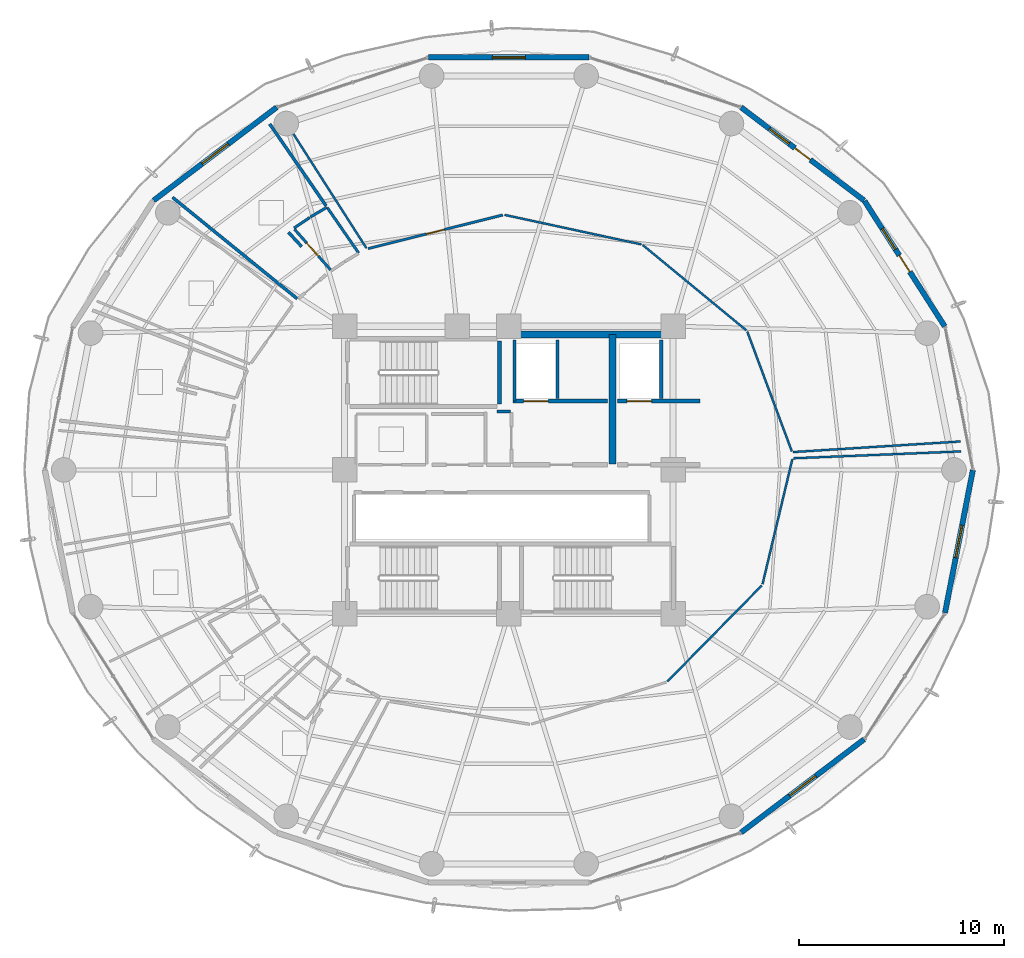
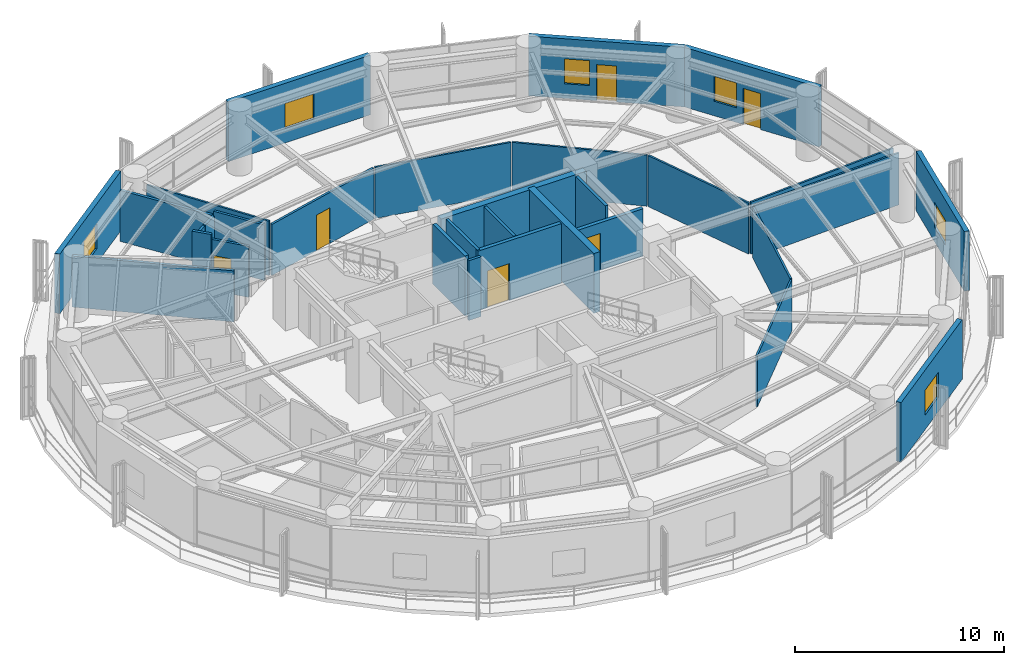
# One storey, part 23 of 28: 31 walls, 6 doors, 6 windows, 12 openings.
"""IFC4 building model written with IfcOpenShell, lengths in metres."""

from ifc_helpers import new_model, si_unit, direction, frame, frame_2d, origin, place, context, subcontext, project, spatial, rectangle, extrude, material, layer, layer_set, type_object, element, fill, save


model = new_model("IFC4")

# Units and contexts
model_context = context("Model", 3, precision=1e-05, world=origin(), true_north=direction((0.0, 1.0)))
body_context = subcontext(model_context, "Body", "Model", "MODEL_VIEW")
ifc_project = project(units=[si_unit("LENGTHUNIT", "METRE"), si_unit("AREAUNIT", "SQUARE_METRE"), si_unit("VOLUMEUNIT", "CUBIC_METRE"), si_unit("PLANEANGLEUNIT", "RADIAN"), si_unit("MASSUNIT", "GRAM", prefix="KILO")], contexts=[model_context])

# Site, building, storey
site_placement = place(None, origin())
site = spatial("IfcSite", under=ifc_project, at=site_placement, CompositionType="ELEMENT")
building_placement = place(site_placement, origin())
building = spatial("IfcBuilding", under=site, at=building_placement, Name="Kelanora Arch Commons", CompositionType="ELEMENT")
storey_placement = place(building_placement, frame((0.0, 0.0, 161.85009765625)))
storey = spatial("IfcBuildingStorey", under=building, at=storey_placement, Name="L41", CompositionType="ELEMENT", Elevation=161.85009765625)

# Walls
ifc_material_1 = material(Name="Autoclaved aerated concrete blockwork with fire plaster", Category="masonry")
ifc_layer_1 = layer(ifc_material_1, 0.14990234375)
ifc_layer_set_1 = layer_set([ifc_layer_1], Name="Autoclaved aerated concrete blockwork with fire plaster")
wall_type_1 = type_object("IfcWallType", Name="W-COMP-150", PredefinedType="PARTITIONING", material=ifc_layer_set_1)
wall_1_placement = place(storey_placement, frame((74.280029296875, 61.35009765625, 0.0), z_axis=(0.0, 0.0, 1.0), x_axis=(0.0, 1.0, 0.0)))
element("IfcWall", 1, at=wall_1_placement, inside=storey, type_object=wall_type_1, Name="Firefighting Lift 1 West Shaft Wall L41", PredefinedType="PARTITIONING", context=body_context, shape_type="SweptSolid", body=[
    extrude(rectangle(XDim=2.969970703125, YDim=0.14990234375, at=frame_2d((1.48486328125, 0.0))), origin(), (0.0, 0.0, 1.0), 3.47998046875),
])
for number, where, z_axis, x_axis, name in (
    (2, (76.360107421875, 61.47998046875, 0.0), (0.0, 0.0, 1.0), (0.0, 1.0, 0.0), "Firefighting Lift 1 East Shaft Wall L41"),
    (3, (81.419921875, 61.47998046875, 0.0), (0.0, 0.0, 1.0), (0.0, 1.0, 0.0), "Firefighting Lift 2 East Shaft Wall L41"),
):
    element("IfcWall", number, at=place(storey_placement, frame(where, z_axis=z_axis, x_axis=x_axis)), inside=storey, type_object=wall_type_1, Name=name, PredefinedType="PARTITIONING", context=body_context, shape_type="SweptSolid", body=[
        extrude(rectangle(XDim=2.840087890625, YDim=0.14990234375, at=frame_2d((1.419921875, 0.0))), origin(), (0.0, 0.0, 1.0), 3.47998046875),
    ])
wall_2_placement = place(storey_placement, frame((74.080078125, 60.85009765625, 0.0), z_axis=(0.0, 0.0, 1.0), x_axis=(-1.0, 0.0, 0.0)))
element("IfcWall", 4, at=wall_2_placement, inside=storey, type_object=wall_type_1, Name="Core Linen Supply Store L41 Enclosure Partition 3", PredefinedType="PARTITIONING", context=body_context, shape_type="SweptSolid", body=[
    extrude(rectangle(XDim=0.66015625, YDim=0.14990234375, at=frame_2d((0.330078125, 0.0))), origin(), (0.0, 0.0, 1.0), 3.47998046875),
])
wall_3_placement = place(storey_placement, frame((63.68896484375, 66.340087890625, 0.0), z_axis=(0.0, 0.0, 1.0), x_axis=(-0.77600992695, 0.630720693553, 0.0)))
element("IfcWall", 5, at=wall_3_placement, inside=storey, type_object=wall_type_1, Name="Cluster Bedroom L41-01 Enclosure Partition 2", PredefinedType="PARTITIONING", context=body_context, shape_type="SweptSolid", body=[
    extrude(rectangle(XDim=7.822265625, YDim=0.14990234375, at=frame_2d((3.9111328125, 0.0))), origin(), (0.0, 0.0, 1.0), 2.974853515625),
])
wall_4_placement = place(storey_placement, frame((62.354736328125, 74.84521484375, 0.0), z_axis=(0.0, 0.0, 1.0), x_axis=(0.56747106095, -0.823393341596, 0.0)))
element("IfcWall", 6, at=wall_4_placement, inside=storey, type_object=wall_type_1, Name="Cluster Bedroom L41-01 Enclosure Partition 5", PredefinedType="PARTITIONING", context=body_context, shape_type="SweptSolid", body=[
    extrude(rectangle(XDim=4.836669921875, YDim=0.14990234375, at=frame_2d((2.41845703125, 0.0))), origin(), (0.0, 0.0, 1.0), 2.974853515625),
])
wall_5_placement = place(storey_placement, frame((63.26416015625, 69.573486328125, 0.0), z_axis=(0.0, 0.0, 1.0), x_axis=(0.678771543933, -0.734349502041, 0.0)))
element("IfcWall", 7, at=wall_5_placement, inside=storey, type_object=wall_type_1, Name="Cluster Bedroom L41-01 Enclosure Partition 7", PredefinedType="PARTITIONING", context=body_context, shape_type="SweptSolid", body=[
    extrude(rectangle(XDim=0.94873046875, YDim=0.14990234375, at=frame_2d((0.474365234375, 0.0))), origin(), (0.0, 0.0, 1.0), 3.47998046875),
])
ifc_material_2 = material(Name="Concrete C50/60", Category="concrete")
ifc_layer_2 = layer(ifc_material_2, 0.35009765625)
ifc_layer_set_2 = layer_set([ifc_layer_2], Name="Concrete C50/60")
wall_type_2 = type_object("IfcWallType", Name="W-CORE-350", PredefinedType="SHEAR", material=ifc_layer_set_2)
wall_6_placement = place(storey_placement, frame((74.0, 64.60009765625, 0.0), z_axis=(0.0, 0.0, 1.0), x_axis=(1.0, 0.0, 0.0)))
element("IfcWall", 8, at=wall_6_placement, inside=storey, type_object=wall_type_2, Name="Core Shear Spine L41-CN-E", PredefinedType="SHEAR", context=body_context, shape_type="SweptSolid", body=[
    extrude(rectangle(XDim=8.0, YDim=0.35009765625, at=frame_2d((4.0, 0.0))), origin(), (0.0, 0.0, 1.0), 3.489990234375),
])
wall_7_placement = place(storey_placement, frame((79.050048828125, 58.300048828125, 0.0), z_axis=(0.0, 0.0, 1.0), x_axis=(0.0, 1.0, 0.0)))
element("IfcWall", 9, at=wall_7_placement, inside=storey, type_object=wall_type_2, Name="Core Shear Spine L41-CE-N", PredefinedType="SHEAR", context=body_context, shape_type="SweptSolid", body=[
    extrude(rectangle(XDim=6.300048828125, YDim=0.35009765625, at=frame_2d((3.14990234375, 0.0))), origin(), (0.0, 0.0, 1.0), 3.489990234375),
])

# Wall, openings, door, window
ifc_material_3 = material(Name="Precast concrete C40/50 with terracotta rainscreen", Category="masonry")
ifc_layer_3 = layer(ifc_material_3, 0.260009765625)
ifc_layer_set_3 = layer_set([ifc_layer_3], Name="Precast concrete C40/50 with terracotta rainscreen")
wall_type_3 = type_object("IfcWallType", Name="W-EXT-TC", PredefinedType="SOLIDWALL", material=ifc_layer_set_3)
wall_8_placement = place(storey_placement, frame((95.22900390625, 64.98974609375, 0.0), z_axis=(0.0, 0.0, 1.0), x_axis=(-0.538801521808, 0.842432739213, 0.0)))
wall_8 = element("IfcWall", 10, at=wall_8_placement, inside=storey, type_object=wall_type_3, Name="Terracotta Exterior Wall L41-B01", PredefinedType="SOLIDWALL", context=body_context, shape_type="SweptSolid", body=[
    extrude(rectangle(XDim=7.25341796875, YDim=0.260009765625, at=frame_2d((3.626708984375, 0.0))), origin(), (0.0, 0.0, 1.0), 3.474853515625),
])
opening_1_placement = place(wall_8_placement, frame((3.152099609375, 0.0, 0.0)))
opening_1 = element("IfcOpeningElement", 11, at=opening_1_placement, cuts=wall_8, Name="Opening DB-01", PredefinedType="OPENING", context=body_context, shape_type="SweptSolid", body=[
    extrude(rectangle(XDim=0.949951171875, YDim=2.10009765625, at=frame_2d((0.47509765625, 1.050048828125))), frame((0.0, 0.14013671875, 0.0), z_axis=(0.0, -1.0, 0.0), x_axis=(1.0, 0.0, 0.0)), (0.0, 0.0, 1.0), 0.280029296875),
])
opening_2_placement = place(wall_8_placement, frame((4.451904296875, 0.0, 0.85009765625)))
opening_2 = element("IfcOpeningElement", 12, at=opening_2_placement, cuts=wall_8, Name="Opening WN-02", PredefinedType="OPENING", context=body_context, shape_type="SweptSolid", body=[
    extrude(rectangle(XDim=1.199951171875, YDim=1.449951171875, at=frame_2d((0.60009765625, 0.72509765625))), frame((0.0, 0.14013671875, 0.0), z_axis=(0.0, -1.0, 0.0), x_axis=(1.0, 0.0, 0.0)), (0.0, 0.0, 1.0), 0.280029296875),
])
ifc_material_4 = material(Name="Terracotta-aluminium thermally broken glazed balcony door", Category="masonry")
door_type_1 = type_object("IfcDoorType", Name="D-BAL-10", OperationType="NOTDEFINED", PredefinedType="DOOR", material=ifc_material_4)
door_1_placement = place(opening_1_placement, frame((0.949951171875, 0.0, 0.0), z_axis=(0.0, 0.0, 1.0), x_axis=(-1.0, 0.0, 0.0)))
door_1 = element("IfcDoor", 13, at=door_1_placement, inside=storey, type_object=door_type_1, Name="Wave Balcony Door L41-B01", OperationType="SINGLE_SWING_LEFT", OverallHeight=2.10009765625, OverallWidth=0.949951171875, PredefinedType="DOOR", context=body_context, shape_type="SweptSolid", body=[
    extrude(rectangle(XDim=0.949951171875, YDim=2.10009765625, at=frame_2d((0.47509765625, 1.050048828125))), frame((0.0, 0.02490234375, 0.0), z_axis=(0.0, -1.0, 0.0), x_axis=(1.0, 0.0, 0.0)), (0.0, 0.0, 1.0), 0.050048828125),
])
fill(opening_1, door_1)
ifc_material_5 = material(Name="Terracotta-anodised aluminium frame with operable awning sash", Category="masonry")
window_type_1 = type_object("IfcWindowType", Name="WIN-CL-12", PartitioningType="SINGLE_PANEL", PredefinedType="WINDOW", material=ifc_material_5)
window_1_placement = place(opening_2_placement, origin())
window_1 = element("IfcWindow", 14, at=window_1_placement, inside=storey, type_object=window_type_1, Name="Co-Living Operable Window L41-B01", OverallHeight=1.449951171875, OverallWidth=1.199951171875, PartitioningType="SINGLE_PANEL", PredefinedType="WINDOW", context=body_context, shape_type="SweptSolid", body=[
    extrude(rectangle(XDim=1.199951171875, YDim=1.449951171875, at=frame_2d((0.60009765625, 0.72509765625))), frame((0.0, 0.030029296875, 0.0), z_axis=(0.0, -1.0, 0.0), x_axis=(1.0, 0.0, 0.0)), (0.0, 0.0, 1.0), 0.06005859375),
])
fill(opening_2, window_1)

wall_9_placement = place(storey_placement, frame((91.300537109375, 71.1220703125, 0.0), z_axis=(0.0, 0.0, 1.0), x_axis=(-0.797163719609, 0.603763202042, 0.0)))
wall_9 = element("IfcWall", 15, at=wall_9_placement, inside=storey, type_object=wall_type_3, Name="Terracotta Exterior Wall L41-B02", PredefinedType="SOLIDWALL", context=body_context, shape_type="SweptSolid", body=[
    extrude(rectangle(XDim=7.51220703125, YDim=0.260009765625, at=frame_2d((3.756103515625, 0.0))), origin(), (0.0, 0.0, 1.0), 3.474853515625),
])
opening_3_placement = place(wall_9_placement, frame((3.281005859375, 0.0, 0.0)))
opening_3 = element("IfcOpeningElement", 16, at=opening_3_placement, cuts=wall_9, Name="Opening DB-01", PredefinedType="OPENING", context=body_context, shape_type="SweptSolid", body=[
    extrude(rectangle(XDim=0.949951171875, YDim=2.10009765625, at=frame_2d((0.47509765625, 1.050048828125))), frame((0.0, 0.14013671875, 0.0), z_axis=(0.0, -1.0, 0.0), x_axis=(1.0, 0.0, 0.0)), (0.0, 0.0, 1.0), 0.280029296875),
])
opening_4_placement = place(wall_9_placement, frame((4.5810546875, 0.0, 0.85009765625)))
opening_4 = element("IfcOpeningElement", 17, at=opening_4_placement, cuts=wall_9, Name="Opening WN-02", PredefinedType="OPENING", context=body_context, shape_type="SweptSolid", body=[
    extrude(rectangle(XDim=1.199951171875, YDim=1.449951171875, at=frame_2d((0.60009765625, 0.72509765625))), frame((0.0, 0.14013671875, 0.0), z_axis=(0.0, -1.0, 0.0), x_axis=(1.0, 0.0, 0.0)), (0.0, 0.0, 1.0), 0.280029296875),
])
door_2_placement = place(opening_3_placement, frame((0.949951171875, 0.0, 0.0), z_axis=(0.0, 0.0, 1.0), x_axis=(-1.0, 0.0, 0.0)))
door_2 = element("IfcDoor", 18, at=door_2_placement, inside=storey, type_object=door_type_1, Name="Wave Balcony Door L41-B02", OperationType="SINGLE_SWING_RIGHT", OverallHeight=2.10009765625, OverallWidth=0.949951171875, PredefinedType="DOOR", context=body_context, shape_type="SweptSolid", body=[
    extrude(rectangle(XDim=0.949951171875, YDim=2.10009765625, at=frame_2d((0.47509765625, 1.050048828125))), frame((0.0, 0.02490234375, 0.0), z_axis=(0.0, -1.0, 0.0), x_axis=(1.0, 0.0, 0.0)), (0.0, 0.0, 1.0), 0.050048828125),
])
fill(opening_3, door_2)
window_2_placement = place(opening_4_placement, origin())
window_2 = element("IfcWindow", 19, at=window_2_placement, inside=storey, type_object=window_type_1, Name="Co-Living Operable Window L41-B02", OverallHeight=1.449951171875, OverallWidth=1.199951171875, PartitioningType="SINGLE_PANEL", PredefinedType="WINDOW", context=body_context, shape_type="SweptSolid", body=[
    extrude(rectangle(XDim=1.199951171875, YDim=1.449951171875, at=frame_2d((0.60009765625, 0.72509765625))), frame((0.0, 0.030029296875, 0.0), z_axis=(0.0, -1.0, 0.0), x_axis=(1.0, 0.0, 0.0)), (0.0, 0.0, 1.0), 0.06005859375),
])
fill(opening_4, window_2)

# Wall, opening, window
wall_10_placement = place(storey_placement, frame((77.909423828125, 78.090087890625, 0.0), z_axis=(0.0, 0.0, 1.0), x_axis=(-1.0, 0.0, 0.0)))
wall_10 = element("IfcWall", 20, at=wall_10_placement, inside=storey, type_object=wall_type_3, Name="Terracotta Exterior Wall L41-B04", PredefinedType="SOLIDWALL", context=body_context, shape_type="SweptSolid", body=[
    extrude(rectangle(XDim=7.81884765625, YDim=0.260009765625, at=frame_2d((3.909423828125, 0.0))), origin(), (0.0, 0.0, 1.0), 3.474853515625),
])
opening_5_placement = place(wall_10_placement, frame((3.10888671875, 0.0, 0.85009765625)))
opening_5 = element("IfcOpeningElement", 21, at=opening_5_placement, cuts=wall_10, Name="Opening WN-01", PredefinedType="OPENING", context=body_context, shape_type="SweptSolid", body=[
    extrude(rectangle(XDim=1.60009765625, YDim=1.449951171875, at=frame_2d((0.800048828125, 0.72509765625))), frame((0.0, 0.14013671875, 0.0), z_axis=(0.0, -1.0, 0.0), x_axis=(1.0, 0.0, 0.0)), (0.0, 0.0, 1.0), 0.280029296875),
])
ifc_material_6 = material(Name="Terracotta-anodised aluminium frame with operable low-E glazing", Category="masonry")
window_type_2 = type_object("IfcWindowType", Name="WIN-CL-18", PartitioningType="DOUBLE_PANEL_VERTICAL", PredefinedType="WINDOW", material=ifc_material_6)
window_3_placement = place(opening_5_placement, origin())
window_3 = element("IfcWindow", 22, at=window_3_placement, inside=storey, type_object=window_type_2, Name="Co-Living Operable Window L41-B04", OverallHeight=1.449951171875, OverallWidth=1.60009765625, PartitioningType="SINGLE_PANEL", PredefinedType="WINDOW", context=body_context, shape_type="SweptSolid", body=[
    extrude(rectangle(XDim=1.60009765625, YDim=1.449951171875, at=frame_2d((0.800048828125, 0.72509765625))), frame((0.0, 0.030029296875, 0.0), z_axis=(0.0, -1.0, 0.0), x_axis=(1.0, 0.0, 0.0)), (0.0, 0.0, 1.0), 0.06005859375),
])
fill(opening_5, window_3)

wall_11_placement = place(storey_placement, frame((62.68798828125, 75.65771484375, 0.0), z_axis=(0.0, 0.0, 1.0), x_axis=(-0.797163719609, -0.603763202042, 0.0)))
wall_11 = element("IfcWall", 23, at=wall_11_placement, inside=storey, type_object=wall_type_3, Name="Terracotta Exterior Wall L41-B06", PredefinedType="SOLIDWALL", context=body_context, shape_type="SweptSolid", body=[
    extrude(rectangle(XDim=7.51220703125, YDim=0.260009765625, at=frame_2d((3.756103515625, 0.0))), origin(), (0.0, 0.0, 1.0), 3.474853515625),
])
opening_6_placement = place(wall_11_placement, frame((2.9560546875, 0.0, 0.85009765625)))
opening_6 = element("IfcOpeningElement", 24, at=opening_6_placement, cuts=wall_11, Name="Opening WN-01", PredefinedType="OPENING", context=body_context, shape_type="SweptSolid", body=[
    extrude(rectangle(XDim=1.60009765625, YDim=1.449951171875, at=frame_2d((0.800048828125, 0.72509765625))), frame((0.0, 0.14013671875, 0.0), z_axis=(0.0, -1.0, 0.0), x_axis=(1.0, 0.0, 0.0)), (0.0, 0.0, 1.0), 0.280029296875),
])
window_4_placement = place(opening_6_placement, origin())
window_4 = element("IfcWindow", 25, at=window_4_placement, inside=storey, type_object=window_type_2, Name="Co-Living Operable Window L41-B06", OverallHeight=1.449951171875, OverallWidth=1.60009765625, PartitioningType="SINGLE_PANEL", PredefinedType="WINDOW", context=body_context, shape_type="SweptSolid", body=[
    extrude(rectangle(XDim=1.60009765625, YDim=1.449951171875, at=frame_2d((0.800048828125, 0.72509765625))), frame((0.0, 0.030029296875, 0.0), z_axis=(0.0, -1.0, 0.0), x_axis=(1.0, 0.0, 0.0)), (0.0, 0.0, 1.0), 0.06005859375),
])
fill(opening_6, window_4)

wall_12_placement = place(storey_placement, frame((85.31201171875, 40.34228515625, 0.0), z_axis=(0.0, 0.0, 1.0), x_axis=(0.797163719609, 0.603763202042, 0.0)))
wall_12 = element("IfcWall", 26, at=wall_12_placement, inside=storey, type_object=wall_type_3, Name="Terracotta Exterior Wall L41-B15", PredefinedType="SOLIDWALL", context=body_context, shape_type="SweptSolid", body=[
    extrude(rectangle(XDim=7.51220703125, YDim=0.260009765625, at=frame_2d((3.756103515625, 0.0))), origin(), (0.0, 0.0, 1.0), 3.474853515625),
])
opening_7_placement = place(wall_12_placement, frame((2.9560546875, 0.0, 0.85009765625)))
opening_7 = element("IfcOpeningElement", 27, at=opening_7_placement, cuts=wall_12, Name="Opening WN-01", PredefinedType="OPENING", context=body_context, shape_type="SweptSolid", body=[
    extrude(rectangle(XDim=1.60009765625, YDim=1.449951171875, at=frame_2d((0.800048828125, 0.72509765625))), frame((0.0, 0.14013671875, 0.0), z_axis=(0.0, -1.0, 0.0), x_axis=(1.0, 0.0, 0.0)), (0.0, 0.0, 1.0), 0.280029296875),
])
window_5_placement = place(opening_7_placement, origin())
window_5 = element("IfcWindow", 28, at=window_5_placement, inside=storey, type_object=window_type_2, Name="Co-Living Operable Window L41-B15", OverallHeight=1.449951171875, OverallWidth=1.60009765625, PartitioningType="SINGLE_PANEL", PredefinedType="WINDOW", context=body_context, shape_type="SweptSolid", body=[
    extrude(rectangle(XDim=1.60009765625, YDim=1.449951171875, at=frame_2d((0.800048828125, 0.72509765625))), frame((0.0, 0.030029296875, 0.0), z_axis=(0.0, -1.0, 0.0), x_axis=(1.0, 0.0, 0.0)), (0.0, 0.0, 1.0), 0.06005859375),
])
fill(opening_7, window_5)

wall_13_placement = place(storey_placement, frame((95.239990234375, 51.03759765625, 0.0), z_axis=(0.0, 0.0, 1.0), x_axis=(0.191716984769, 0.981450252306, 0.0)))
wall_13 = element("IfcWall", 29, at=wall_13_placement, inside=storey, type_object=wall_type_3, Name="Terracotta Exterior Wall L41-B17", PredefinedType="SOLIDWALL", context=body_context, shape_type="SweptSolid", body=[
    extrude(rectangle(XDim=7.0791015625, YDim=0.260009765625, at=frame_2d((3.53955078125, 0.0))), origin(), (0.0, 0.0, 1.0), 3.474853515625),
])
opening_8_placement = place(wall_13_placement, frame((2.739990234375, 0.0, 0.85009765625)))
opening_8 = element("IfcOpeningElement", 30, at=opening_8_placement, cuts=wall_13, Name="Opening WN-01", PredefinedType="OPENING", context=body_context, shape_type="SweptSolid", body=[
    extrude(rectangle(XDim=1.60009765625, YDim=1.449951171875, at=frame_2d((0.800048828125, 0.72509765625))), frame((0.0, 0.14013671875, 0.0), z_axis=(0.0, -1.0, 0.0), x_axis=(1.0, 0.0, 0.0)), (0.0, 0.0, 1.0), 0.280029296875),
])
window_6_placement = place(opening_8_placement, origin())
window_6 = element("IfcWindow", 31, at=window_6_placement, inside=storey, type_object=window_type_2, Name="Co-Living Operable Window L41-B17", OverallHeight=1.449951171875, OverallWidth=1.60009765625, PartitioningType="SINGLE_PANEL", PredefinedType="WINDOW", context=body_context, shape_type="SweptSolid", body=[
    extrude(rectangle(XDim=1.60009765625, YDim=1.449951171875, at=frame_2d((0.800048828125, 0.72509765625))), frame((0.0, 0.030029296875, 0.0), z_axis=(0.0, -1.0, 0.0), x_axis=(1.0, 0.0, 0.0)), (0.0, 0.0, 1.0), 0.06005859375),
])
fill(opening_8, window_6)

# Wall, opening, door
ifc_material_7 = material(Name="Concrete C40/50", Category="concrete")
ifc_layer_4 = layer(ifc_material_7, 0.199951171875)
ifc_layer_set_4 = layer_set([ifc_layer_4], Name="Concrete C40/50")
wall_type_4 = type_object("IfcWallType", Name="W-FFL-200", PredefinedType="SOLIDWALL", material=ifc_layer_set_4)
wall_14_placement = place(storey_placement, frame((74.199951171875, 61.35009765625, 0.0), z_axis=(0.0, 0.0, 1.0), x_axis=(1.0, 0.0, 0.0)))
wall_14 = element("IfcWall", 32, at=wall_14_placement, inside=storey, type_object=wall_type_4, Name="Firefighting Lift 1 Shaft Front L41", PredefinedType="SOLIDWALL", context=body_context, shape_type="SweptSolid", body=[
    extrude(rectangle(XDim=4.60009765625, YDim=0.199951171875, at=frame_2d((2.300048828125, 0.0))), origin(), (0.0, 0.0, 1.0), 3.47998046875),
])
opening_9_placement = place(wall_14_placement, frame((0.52001953125, 0.0, 0.0)))
opening_9 = element("IfcOpeningElement", 33, at=opening_9_placement, cuts=wall_14, Name="Opening LD-FF", PredefinedType="OPENING", context=body_context, shape_type="SweptSolid", body=[
    extrude(rectangle(XDim=1.199951171875, YDim=2.14990234375, at=frame_2d((0.60009765625, 1.074951171875))), frame((0.0, 0.10986328125, 0.0), z_axis=(0.0, -1.0, 0.0), x_axis=(1.0, 0.0, 0.0)), (0.0, 0.0, 1.0), 0.219970703125),
])
ifc_material_8 = material(Name="Fire-rated firefighters lift sliding landing door")
door_type_2 = type_object("IfcDoorType", Name="D-LIFT-FF", OperationType="NOTDEFINED", PredefinedType="DOOR", material=ifc_material_8)
door_3_placement = place(opening_9_placement, origin())
door_3 = element("IfcDoor", 34, at=door_3_placement, inside=storey, type_object=door_type_2, Name="Firefighting Lift LF-FF1 Landing Door L41", OperationType="DOUBLE_DOOR_SLIDING", OverallHeight=2.14990234375, OverallWidth=1.199951171875, PredefinedType="DOOR", context=body_context, shape_type="SweptSolid", body=[
    extrude(rectangle(XDim=1.199951171875, YDim=2.14990234375, at=frame_2d((0.60009765625, 1.074951171875))), frame((0.0, 0.02490234375, 0.0), z_axis=(0.0, -1.0, 0.0), x_axis=(1.0, 0.0, 0.0)), (0.0, 0.0, 1.0), 0.050048828125),
])
fill(opening_9, door_3)

wall_15_placement = place(storey_placement, frame((79.300048828125, 61.35009765625, 0.0), z_axis=(0.0, 0.0, 1.0), x_axis=(1.0, 0.0, 0.0)))
wall_15 = element("IfcWall", 35, at=wall_15_placement, inside=storey, type_object=wall_type_4, Name="Firefighting Lift 2 Shaft Front L41", PredefinedType="SOLIDWALL", context=body_context, shape_type="SweptSolid", body=[
    extrude(rectangle(XDim=4.0, YDim=0.199951171875, at=frame_2d((2.0, 0.0))), origin(), (0.0, 0.0, 1.0), 2.77490234375),
])
opening_10_placement = place(wall_15_placement, frame((0.449951171875, 0.0, 0.0)))
opening_10 = element("IfcOpeningElement", 36, at=opening_10_placement, cuts=wall_15, Name="Opening LD-FF", PredefinedType="OPENING", context=body_context, shape_type="SweptSolid", body=[
    extrude(rectangle(XDim=1.199951171875, YDim=2.14990234375, at=frame_2d((0.60009765625, 1.074951171875))), frame((0.0, 0.10986328125, 0.0), z_axis=(0.0, -1.0, 0.0), x_axis=(1.0, 0.0, 0.0)), (0.0, 0.0, 1.0), 0.219970703125),
])
door_4_placement = place(opening_10_placement, origin())
door_4 = element("IfcDoor", 37, at=door_4_placement, inside=storey, type_object=door_type_2, Name="Firefighting Lift LF-FF2 Landing Door L41", OperationType="DOUBLE_DOOR_SLIDING", OverallHeight=2.14990234375, OverallWidth=1.199951171875, PredefinedType="DOOR", context=body_context, shape_type="SweptSolid", body=[
    extrude(rectangle(XDim=1.199951171875, YDim=2.14990234375, at=frame_2d((0.60009765625, 1.074951171875))), frame((0.0, 0.02490234375, 0.0), z_axis=(0.0, -1.0, 0.0), x_axis=(1.0, 0.0, 0.0)), (0.0, 0.0, 1.0), 0.050048828125),
])
fill(opening_10, door_4)

# Walls
ifc_material_9 = material(Name="Lightweight fire-rated acoustic stud partition")
ifc_layer_5 = layer(ifc_material_9, 0.10009765625)
ifc_layer_set_5 = layer_set([ifc_layer_5], Name="Lightweight fire-rated acoustic stud partition")
wall_type_5 = type_object("IfcWallType", Name="W-PART-100", PredefinedType="PARTITIONING", material=ifc_layer_set_5)
wall_16_placement = place(storey_placement, frame((81.72216796875, 47.699462890625, 0.0), z_axis=(0.0, 0.0, 1.0), x_axis=(0.701417862724, 0.712750294179, 0.0)))
element("IfcWall", 38, at=wall_16_placement, inside=storey, type_object=wall_type_5, Name="South-East Social Sky Lounge L41 Enclosure Partition 3", PredefinedType="PARTITIONING", context=body_context, shape_type="SweptSolid", body=[
    extrude(rectangle(XDim=6.54931640625, YDim=0.10009765625, at=frame_2d((3.274658203125, 0.0))), origin(), (0.0, 0.0, 1.0), 2.974853515625),
])
wall_17_placement = place(storey_placement, frame((86.353271484375, 52.434814453125, 0.0), z_axis=(0.0, 0.0, 1.0), x_axis=(0.232117767109, 0.972687689956, 0.0)))
element("IfcWall", 39, at=wall_17_placement, inside=storey, type_object=wall_type_5, Name="South-East Social Sky Lounge L41 Enclosure Partition 4", PredefinedType="PARTITIONING", context=body_context, shape_type="SweptSolid", body=[
    extrude(rectangle(XDim=6.26123046875, YDim=0.10009765625, at=frame_2d((3.130615234375, 0.0))), origin(), (0.0, 0.0, 1.0), 2.974853515625),
])
wall_18_placement = place(storey_placement, frame((87.85595703125, 58.565673828125, 0.0), z_axis=(0.0, 0.0, 1.0), x_axis=(0.999160005097, 0.04097907045, 0.0)))
element("IfcWall", 40, at=wall_18_placement, inside=storey, type_object=wall_type_5, Name="South-East Social Sky Lounge L41 Enclosure Partition 5", PredefinedType="PARTITIONING", context=body_context, shape_type="SweptSolid", body=[
    extrude(rectangle(XDim=8.16796875, YDim=0.10009765625, at=frame_2d((4.083984375, 0.0))), origin(), (0.0, 0.0, 1.0), 3.02490234375),
])
wall_19_placement = place(storey_placement, frame((87.781982421875, 58.904541015625, 0.0), z_axis=(0.0, 0.0, 1.0), x_axis=(-0.348794663743, 0.937199169091, 0.0)))
element("IfcWall", 41, at=wall_19_placement, inside=storey, type_object=wall_type_5, Name="North-East Quiet Study Commons L41 Enclosure Partition 1", PredefinedType="PARTITIONING", context=body_context, shape_type="SweptSolid", body=[
    extrude(rectangle(XDim=6.218505859375, YDim=0.10009765625, at=frame_2d((3.109375, 0.0))), origin(), (0.0, 0.0, 1.0), 2.974853515625),
])
wall_20_placement = place(storey_placement, frame((85.568115234375, 64.79541015625, 0.0), z_axis=(0.0, 0.0, 1.0), x_axis=(-0.771910823064, 0.635730824513, 0.0)))
element("IfcWall", 42, at=wall_20_placement, inside=storey, type_object=wall_type_5, Name="North-East Quiet Study Commons L41 Enclosure Partition 2", PredefinedType="PARTITIONING", context=body_context, shape_type="SweptSolid", body=[
    extrude(rectangle(XDim=6.53466796875, YDim=0.10009765625, at=frame_2d((3.267333984375, 0.0))), origin(), (0.0, 0.0, 1.0), 2.974853515625),
])
wall_21_placement = place(storey_placement, frame((80.453857421875, 68.9833984375, 0.0), z_axis=(0.0, 0.0, 1.0), x_axis=(-0.977499159178, 0.210939313089, 0.0)))
element("IfcWall", 43, at=wall_21_placement, inside=storey, type_object=wall_type_5, Name="North-East Quiet Study Commons L41 Enclosure Partition 3", PredefinedType="PARTITIONING", context=body_context, shape_type="SweptSolid", body=[
    extrude(rectangle(XDim=6.80908203125, YDim=0.10009765625, at=frame_2d((3.404541015625, 0.0))), origin(), (0.0, 0.0, 1.0), 2.974853515625),
])
wall_22_placement = place(storey_placement, frame((67.0634765625, 68.798583984375, 0.0), z_axis=(0.0, 0.0, 1.0), x_axis=(-0.538644897025, 0.842532892479, 0.0)))
element("IfcWall", 44, at=wall_22_placement, inside=storey, type_object=wall_type_5, Name="North-East Quiet Study Commons L41 Enclosure Partition 5", PredefinedType="PARTITIONING", context=body_context, shape_type="SweptSolid", body=[
    extrude(rectangle(XDim=6.593505859375, YDim=0.10009765625, at=frame_2d((3.296875, 0.0))), origin(), (0.0, 0.0, 1.0), 3.1748046875),
])
wall_23_placement = place(storey_placement, frame((95.986083984375, 59.384521484375, 0.0), z_axis=(0.0, 0.0, 1.0), x_axis=(-0.998008477031, -0.063079947474, 0.0)))
element("IfcWall", 45, at=wall_23_placement, inside=storey, type_object=wall_type_5, Name="North-East Quiet Study Commons L41 Enclosure Partition 10", PredefinedType="PARTITIONING", context=body_context, shape_type="SweptSolid", body=[
    extrude(rectangle(XDim=8.16650390625, YDim=0.10009765625, at=frame_2d((4.083251953125, 0.0))), origin(), (0.0, 0.0, 1.0), 3.02490234375),
])

# Wall, opening, door
ifc_material_10 = material(Name="Acoustic twin-stud fire-rated gypsum partition")
ifc_layer_6 = layer(ifc_material_10, 0.1201171875)
ifc_layer_set_6 = layer_set([ifc_layer_6], Name="Acoustic twin-stud fire-rated gypsum partition")
wall_type_6 = type_object("IfcWallType", Name="W-PART-120", PredefinedType="PARTITIONING", material=ifc_layer_set_6)
wall_24_placement = place(storey_placement, frame((73.70068359375, 70.41357421875, 0.0), z_axis=(0.0, 0.0, 1.0), x_axis=(-0.970327101986, -0.241796019718, 0.0)))
wall_24 = element("IfcWall", 46, at=wall_24_placement, inside=storey, type_object=wall_type_6, Name="North-East Quiet Study Commons L41 Entry Partition", PredefinedType="PARTITIONING", context=body_context, shape_type="SweptSolid", body=[
    extrude(rectangle(XDim=6.7578125, YDim=0.1201171875, at=frame_2d((3.37890625, 0.0))), origin(), (0.0, 0.0, 1.0), 2.974853515625),
])
opening_11_placement = place(wall_24_placement, frame((2.928955078125, 0.0, 0.0)))
opening_11 = element("IfcOpeningElement", 47, at=opening_11_placement, cuts=wall_24, Name="Opening D-RM1", PredefinedType="OPENING", context=body_context, shape_type="SweptSolid", body=[
    extrude(rectangle(XDim=0.89990234375, YDim=2.080078125, at=frame_2d((0.449951171875, 1.0400390625))), frame((0.0, 0.070068359375, 0.0), z_axis=(0.0, -1.0, 0.0), x_axis=(1.0, 0.0, 0.0)), (0.0, 0.0, 1.0), 0.14013671875),
])
ifc_material_11 = material(Name="Acoustic fire-rated timber study and lounge door", Category="wood")
door_type_3 = type_object("IfcDoorType", Name="D-ROOM-90", OperationType="NOTDEFINED", PredefinedType="DOOR", material=ifc_material_11)
door_5_placement = place(opening_11_placement, origin())
door_5 = element("IfcDoor", 48, at=door_5_placement, inside=storey, type_object=door_type_3, Name="North-East Quiet Study Commons L41 Door", OperationType="SINGLE_SWING_LEFT", OverallHeight=2.080078125, OverallWidth=0.89990234375, PredefinedType="DOOR", context=body_context, shape_type="SweptSolid", body=[
    extrude(rectangle(XDim=0.89990234375, YDim=2.080078125, at=frame_2d((0.449951171875, 1.0400390625))), frame((0.0, 0.02490234375, 0.0), z_axis=(0.0, -1.0, 0.0), x_axis=(1.0, 0.0, 0.0)), (0.0, 0.0, 1.0), 0.050048828125),
])
fill(opening_11, door_5)

# Wall
ifc_layer_7 = layer(ifc_material_7, 0.199951171875)
ifc_layer_set_7 = layer_set([ifc_layer_7], Name="Concrete C40/50")
wall_type_7 = type_object("IfcWallType", Name="W-STAIR-200", PredefinedType="SHEAR", material=ifc_layer_set_7)
wall_25_placement = place(storey_placement, frame((73.5400390625, 61.199951171875, 0.0), z_axis=(0.0, 0.0, 1.0), x_axis=(0.0, 1.0, 0.0)))
element("IfcWall", 49, at=wall_25_placement, inside=storey, type_object=wall_type_7, Name="Stair ST-T1 Shaft Wall E L41", PredefinedType="SHEAR", context=body_context, shape_type="SweptSolid", body=[
    extrude(rectangle(XDim=3.070068359375, YDim=0.199951171875, at=frame_2d((1.53515625, 0.0))), origin(), (0.0, 0.0, 1.0), 3.489990234375),
])

# Wall, opening, door
ifc_material_12 = material(Name="Moisture-resistant fire-rated cement-board plumbing wall")
ifc_layer_8 = layer(ifc_material_12, 0.1298828125)
ifc_layer_set_8 = layer_set([ifc_layer_8], Name="Moisture-resistant fire-rated cement-board plumbing wall")
wall_type_8 = type_object("IfcWallType", Name="W-WET-120", PredefinedType="PLUMBINGWALL", material=ifc_layer_set_8)
wall_26_placement = place(storey_placement, frame((65.315185546875, 67.746826171875, 0.0), z_axis=(0.0, 0.0, 1.0), x_axis=(-0.664185753234, 0.74756757902, 0.0)))
wall_26 = element("IfcWall", 50, at=wall_26_placement, inside=storey, type_object=wall_type_8, Name="En-Suite Shower WC L41-01 Entry Partition", PredefinedType="PLUMBINGWALL", context=body_context, shape_type="SweptSolid", body=[
    extrude(rectangle(XDim=2.63818359375, YDim=0.1298828125, at=frame_2d((1.319091796875, 0.0))), origin(), (0.0, 0.0, 1.0), 2.974853515625),
])
opening_12_placement = place(wall_26_placement, frame((0.888916015625, 0.0, 0.0)))
opening_12 = element("IfcOpeningElement", 51, at=opening_12_placement, cuts=wall_26, Name="Opening D-BT1", PredefinedType="OPENING", context=body_context, shape_type="SweptSolid", body=[
    extrude(rectangle(XDim=0.860107421875, YDim=2.050048828125, at=frame_2d((0.43017578125, 1.02490234375))), frame((0.0, 0.074951171875, 0.0), z_axis=(0.0, -1.0, 0.0), x_axis=(1.0, 0.0, 0.0)), (0.0, 0.0, 1.0), 0.14990234375),
])
ifc_material_13 = material(Name="Moisture-sealed fire-rated accessible bathroom door")
door_type_4 = type_object("IfcDoorType", Name="D-BATH-85", OperationType="NOTDEFINED", PredefinedType="DOOR", material=ifc_material_13)
door_6_placement = place(opening_12_placement, origin())
door_6 = element("IfcDoor", 52, at=door_6_placement, inside=storey, type_object=door_type_4, Name="En-Suite Shower WC L41-01 Door", OperationType="SINGLE_SWING_RIGHT", OverallHeight=2.050048828125, OverallWidth=0.860107421875, PredefinedType="DOOR", context=body_context, shape_type="SweptSolid", body=[
    extrude(rectangle(XDim=0.860107421875, YDim=2.050048828125, at=frame_2d((0.43017578125, 1.02490234375))), frame((0.0, 0.02490234375, 0.0), z_axis=(0.0, -1.0, 0.0), x_axis=(1.0, 0.0, 0.0)), (0.0, 0.0, 1.0), 0.050048828125),
])
fill(opening_12, door_6)

# Walls
wall_27_placement = place(storey_placement, frame((63.53955078125, 69.775146484375, 0.0), z_axis=(0.0, 0.0, 1.0), x_axis=(0.827440475962, 0.561553433558, 0.0)))
element("IfcWall", 53, at=wall_27_placement, inside=storey, type_object=wall_type_8, Name="En-Suite Shower WC L41-01 Enclosure Partition 4", PredefinedType="PLUMBINGWALL", context=body_context, shape_type="SweptSolid", body=[
    extrude(rectangle(XDim=0.918212890625, YDim=0.1298828125, at=frame_2d((0.458984375, 0.0))), origin(), (0.0, 0.0, 1.0), 2.974853515625),
])
wall_28_placement = place(storey_placement, frame((64.333251953125, 70.312255859375, 0.0), z_axis=(0.0, 0.0, 1.0), x_axis=(0.858494754448, 0.512822344077, 0.0)))
element("IfcWall", 54, at=wall_28_placement, inside=storey, type_object=wall_type_8, Name="En-Suite Shower WC L41-01 Enclosure Partition 5", PredefinedType="PLUMBINGWALL", context=body_context, shape_type="SweptSolid", body=[
    extrude(rectangle(XDim=0.923095703125, YDim=0.1298828125, at=frame_2d((0.46142578125, 0.0))), origin(), (0.0, 0.0, 1.0), 2.974853515625),
])
wall_29_placement = place(storey_placement, frame((65.154296875, 70.779541015625, 0.0), z_axis=(0.0, 0.0, 1.0), x_axis=(0.568302093988, -0.822819986369, 0.0)))
element("IfcWall", 55, at=wall_29_placement, inside=storey, type_object=wall_type_8, Name="En-Suite Shower WC L41-01 Enclosure Partition 6", PredefinedType="PLUMBINGWALL", context=body_context, shape_type="SweptSolid", body=[
    extrude(rectangle(XDim=2.685791015625, YDim=0.1298828125, at=frame_2d((1.3427734375, 0.0))), origin(), (0.0, 0.0, 1.0), 3.23486328125),
])

save(model, "model.ifc")
